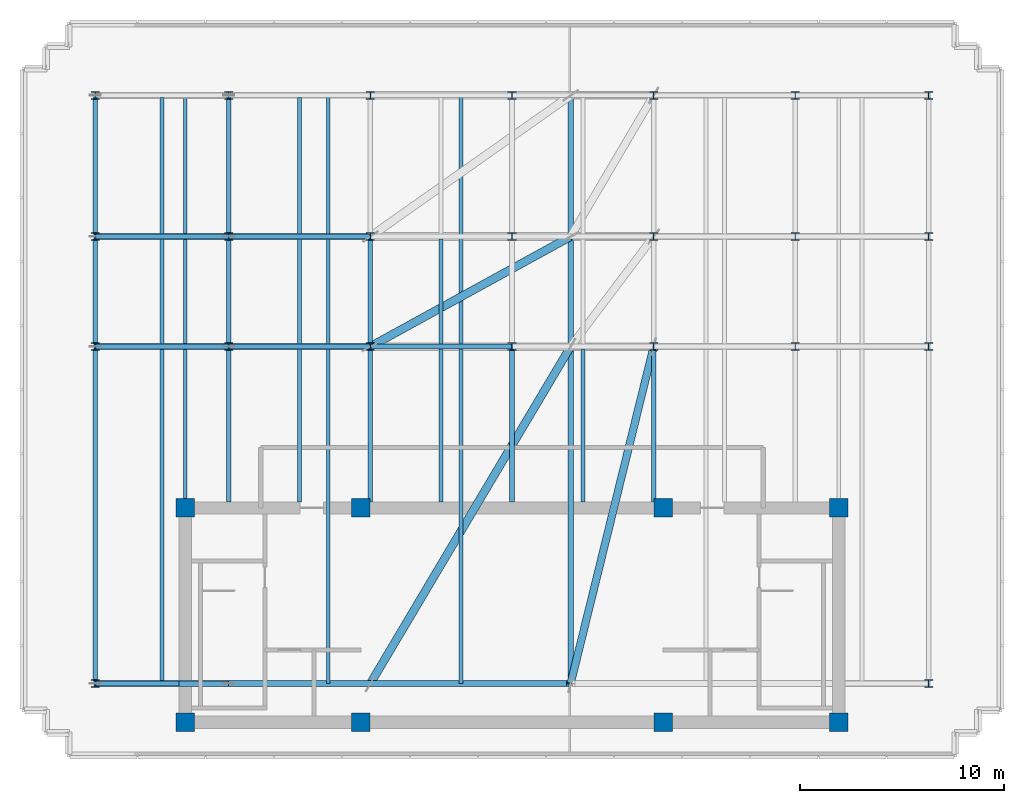
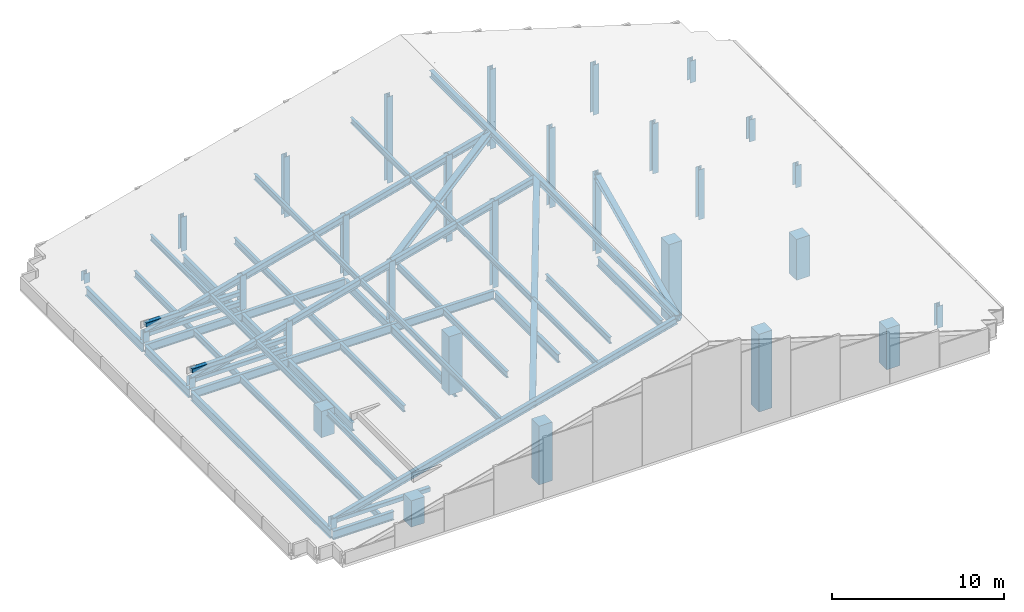
# One storey, part 1 of 6: 31 columns, 29 beams, 11 members.
"""IFC4 building model written with IfcOpenShell, lengths in metres."""

from ifc_helpers import new_model, si_unit, direction, frame, origin, origin_2d, place, context, subcontext, project, spatial, rectangle, hollow_rectangle, i_section, extrude, material, material_profile, profile_set, type_object, element, save


model = new_model("IFC4")

# Units and contexts
model_context = context("Model", 3, precision=1e-05, world=origin(), true_north=direction((0.0, 1.0)))
body_context = subcontext(model_context, "Body", "Model", "MODEL_VIEW")
ifc_project = project(units=[si_unit("LENGTHUNIT", "METRE"), si_unit("AREAUNIT", "SQUARE_METRE"), si_unit("VOLUMEUNIT", "CUBIC_METRE"), si_unit("PLANEANGLEUNIT", "RADIAN"), si_unit("MASSUNIT", "GRAM", prefix="KILO")], contexts=[model_context])

# Site, building, storey
site_placement = place(None, origin())
site = spatial("IfcSite", under=ifc_project, at=site_placement, CompositionType="ELEMENT")
building_placement = place(site_placement, origin())
building = spatial("IfcBuilding", under=site, at=building_placement, Name="Solmavex Isthmus Hotel", CompositionType="ELEMENT")
storey_placement = place(building_placement, frame((0.0, 0.0, 308.39990234375)))
storey = spatial("IfcBuildingStorey", under=building, at=storey_placement, Name="Roof", CompositionType="ELEMENT", Elevation=308.39990234375)

# Columns
ifc_material_1 = material(Name="Concrete C50/60", Category="concrete")
ifc_material_profile_1 = material_profile(ifc_material_1, rectangle(XDim=0.89990234375, YDim=0.89990234375, at=origin_2d()), Name="RC900X900")
ifc_profile_set_1 = profile_set([ifc_material_profile_1], Name="Concrete C50/60")
column_type_1 = type_object("IfcColumnType", Name="COL-CC-900", PredefinedType="COLUMN", material=ifc_profile_set_1)
column_1_placement = place(storey_placement, frame((-16.0, -13.0, 0.0), z_axis=(0.0, 0.0, 1.0), x_axis=(1.0, 0.0, 0.0)))
element("IfcColumn", 1, at=column_1_placement, inside=storey, type_object=column_type_1, Name="Core Pilaster CC-SW Roof", PredefinedType="COLUMN", context=body_context, shape_type="SweptSolid", body=[
    extrude(rectangle(XDim=0.89990234375, YDim=0.89990234375, at=origin_2d()), origin(), (0.0, 0.0, 1.0), 1.87451171875),
])
column_2_placement = place(storey_placement, frame((-7.39990234375, -13.0, 0.0), z_axis=(0.0, 0.0, 1.0), x_axis=(1.0, 0.0, 0.0)))
element("IfcColumn", 2, at=column_2_placement, inside=storey, type_object=column_type_1, Name="Core Pilaster CC-S1 Roof", PredefinedType="COLUMN", context=body_context, shape_type="SweptSolid", body=[
    extrude(rectangle(XDim=0.89990234375, YDim=0.89990234375, at=origin_2d()), origin(), (0.0, 0.0, 1.0), 4.178955078125),
])
column_3_placement = place(storey_placement, frame((7.39990234375, -13.0, 0.0), z_axis=(0.0, 0.0, 1.0), x_axis=(1.0, 0.0, 0.0)))
element("IfcColumn", 3, at=column_3_placement, inside=storey, type_object=column_type_1, Name="Core Pilaster CC-S2 Roof", PredefinedType="COLUMN", context=body_context, shape_type="SweptSolid", body=[
    extrude(rectangle(XDim=0.89990234375, YDim=0.89990234375, at=origin_2d()), origin(), (0.0, 0.0, 1.0), 5.54345703125),
])
column_4_placement = place(storey_placement, frame((16.0, -13.0, 0.0), z_axis=(0.0, 0.0, 1.0), x_axis=(1.0, 0.0, 0.0)))
element("IfcColumn", 4, at=column_4_placement, inside=storey, type_object=column_type_1, Name="Core Pilaster CC-SE Roof", PredefinedType="COLUMN", context=body_context, shape_type="SweptSolid", body=[
    extrude(rectangle(XDim=0.89990234375, YDim=0.89990234375, at=origin_2d()), origin(), (0.0, 0.0, 1.0), 2.914306640625),
])
column_5_placement = place(storey_placement, frame((-16.0, -2.5, 0.0), z_axis=(0.0, 0.0, 1.0), x_axis=(1.0, 0.0, 0.0)))
element("IfcColumn", 5, at=column_5_placement, inside=storey, type_object=column_type_1, Name="Core Pilaster CC-NW Roof", PredefinedType="COLUMN", context=body_context, shape_type="SweptSolid", body=[
    extrude(rectangle(XDim=0.89990234375, YDim=0.89990234375, at=origin_2d()), origin(), (0.0, 0.0, 1.0), 1.87451171875),
])
column_6_placement = place(storey_placement, frame((-7.39990234375, -2.5, 0.0), z_axis=(0.0, 0.0, 1.0), x_axis=(1.0, 0.0, 0.0)))
element("IfcColumn", 6, at=column_6_placement, inside=storey, type_object=column_type_1, Name="Core Pilaster CC-N1 Roof", PredefinedType="COLUMN", context=body_context, shape_type="SweptSolid", body=[
    extrude(rectangle(XDim=0.89990234375, YDim=0.89990234375, at=origin_2d()), origin(), (0.0, 0.0, 1.0), 4.178955078125),
])
column_7_placement = place(storey_placement, frame((7.39990234375, -2.5, 0.0), z_axis=(0.0, 0.0, 1.0), x_axis=(1.0, 0.0, 0.0)))
element("IfcColumn", 7, at=column_7_placement, inside=storey, type_object=column_type_1, Name="Core Pilaster CC-N2 Roof", PredefinedType="COLUMN", context=body_context, shape_type="SweptSolid", body=[
    extrude(rectangle(XDim=0.89990234375, YDim=0.89990234375, at=origin_2d()), origin(), (0.0, 0.0, 1.0), 5.54345703125),
])
column_8_placement = place(storey_placement, frame((16.0, -2.5, 0.0), z_axis=(0.0, 0.0, 1.0), x_axis=(1.0, 0.0, 0.0)))
element("IfcColumn", 8, at=column_8_placement, inside=storey, type_object=column_type_1, Name="Core Pilaster CC-NE Roof", PredefinedType="COLUMN", context=body_context, shape_type="SweptSolid", body=[
    extrude(rectangle(XDim=0.89990234375, YDim=0.89990234375, at=origin_2d()), origin(), (0.0, 0.0, 1.0), 2.914306640625),
])
ifc_material_2 = material(Name="Steel ASTM A913 Grade 65", Category="steel")
ifc_material_profile_2 = material_profile(ifc_material_2, i_section(OverallWidth=0.393798828125, OverallDepth=0.37548828125, WebThickness=0.017333984375, FlangeThickness=0.027587890625, FilletRadius=0.030517578125, at=origin_2d()), Name="W14X145")
ifc_profile_set_2 = profile_set([ifc_material_profile_2], Name="Steel ASTM A913 Grade 65")
column_type_2 = type_object("IfcColumnType", Name="COL-SC-W14X145", PredefinedType="COLUMN", material=ifc_profile_set_2)
for number, where, z_axis, x_axis, name in (
    (9, (-20.39990234375, -11.10009765625, 0.0), (0.0, 0.0, 1.0), (1.0, 0.0, 0.0), "Tower Column B5-U1V1 Roof"),
    (10, (-20.39990234375, 5.39990234375, 0.0), (0.0, 0.0, 1.0), (1.0, 0.0, 0.0), "Tower Column B5-U1V2 Roof"),
    (11, (-20.39990234375, 10.7880859375, 0.0), (0.0, 0.0, 1.0), (1.0, 0.0, 0.0), "Tower Column B5-U1V3 Roof"),
    (12, (-20.39990234375, 17.699951171875, 0.0), (0.0, 0.0, 1.0), (1.0, 0.0, 0.0), "Tower Column B5-U1V4 Roof"),
):
    element("IfcColumn", number, at=place(storey_placement, frame(where, z_axis=z_axis, x_axis=x_axis)), inside=storey, type_object=column_type_2, Name=name, PredefinedType="COLUMN", context=body_context, shape_type="SweptSolid", body=[
        extrude(i_section(OverallWidth=0.393798828125, OverallDepth=0.37548828125, WebThickness=0.017333984375, FlangeThickness=0.027587890625, FilletRadius=0.030517578125, at=origin_2d()), origin(), (0.0, 0.0, 1.0), 0.695556640625),
    ])
for number, where, z_axis, x_axis, name in (
    (13, (-13.8720703125, 5.39990234375, 0.0), (0.0, 0.0, 1.0), (1.0, 0.0, 0.0), "Tower Column B5-U2V2 Roof"),
    (14, (-13.8720703125, 10.7880859375, 0.0), (0.0, 0.0, 1.0), (1.0, 0.0, 0.0), "Tower Column B5-U2V3 Roof"),
    (15, (-13.8720703125, 17.699951171875, 0.0), (0.0, 0.0, 1.0), (1.0, 0.0, 0.0), "Tower Column B5-U2V4 Roof"),
):
    element("IfcColumn", number, at=place(storey_placement, frame(where, z_axis=z_axis, x_axis=x_axis)), inside=storey, type_object=column_type_2, Name=name, PredefinedType="COLUMN", context=body_context, shape_type="SweptSolid", body=[
        extrude(i_section(OverallWidth=0.393798828125, OverallDepth=0.37548828125, WebThickness=0.017333984375, FlangeThickness=0.027587890625, FilletRadius=0.030517578125, at=origin_2d()), origin(), (0.0, 0.0, 1.0), 2.444580078125),
    ])
for number, where, z_axis, x_axis, name in (
    (16, (-6.93603515625, 5.39990234375, 0.0), (0.0, 0.0, 1.0), (1.0, 0.0, 0.0), "Tower Column B5-U3V2 Roof"),
    (17, (-6.93603515625, 10.7880859375, 0.0), (0.0, 0.0, 1.0), (1.0, 0.0, 0.0), "Tower Column B5-U3V3 Roof"),
    (18, (-6.93603515625, 17.699951171875, 0.0), (0.0, 0.0, 1.0), (1.0, 0.0, 0.0), "Tower Column B5-U3V4 Roof"),
):
    element("IfcColumn", number, at=place(storey_placement, frame(where, z_axis=z_axis, x_axis=x_axis)), inside=storey, type_object=column_type_2, Name=name, PredefinedType="COLUMN", context=body_context, shape_type="SweptSolid", body=[
        extrude(i_section(OverallWidth=0.393798828125, OverallDepth=0.37548828125, WebThickness=0.017333984375, FlangeThickness=0.027587890625, FilletRadius=0.030517578125, at=origin_2d()), origin(), (0.0, 0.0, 1.0), 4.30322265625),
    ])
for number, where, z_axis, x_axis, name in (
    (19, (0.0, 5.39990234375, 0.0), (0.0, 0.0, 1.0), (1.0, 0.0, 0.0), "Tower Column B5-U4V2 Roof"),
    (20, (0.0, 10.7880859375, 0.0), (0.0, 0.0, 1.0), (1.0, 0.0, 0.0), "Tower Column B5-U4V3 Roof"),
    (21, (0.0, 17.699951171875, 0.0), (0.0, 0.0, 1.0), (1.0, 0.0, 0.0), "Tower Column B5-U4V4 Roof"),
):
    element("IfcColumn", number, at=place(storey_placement, frame(where, z_axis=z_axis, x_axis=x_axis)), inside=storey, type_object=column_type_2, Name=name, PredefinedType="COLUMN", context=body_context, shape_type="SweptSolid", body=[
        extrude(i_section(OverallWidth=0.393798828125, OverallDepth=0.37548828125, WebThickness=0.017333984375, FlangeThickness=0.027587890625, FilletRadius=0.030517578125, at=origin_2d()), origin(), (0.0, 0.0, 1.0), 6.16162109375),
    ])
for number, where, z_axis, x_axis, name in (
    (22, (6.93603515625, 5.39990234375, 0.0), (0.0, 0.0, 1.0), (1.0, 0.0, 0.0), "Tower Column B5-U5V2 Roof"),
    (23, (6.93603515625, 10.7880859375, 0.0), (0.0, 0.0, 1.0), (1.0, 0.0, 0.0), "Tower Column B5-U5V3 Roof"),
    (24, (6.93603515625, 17.699951171875, 0.0), (0.0, 0.0, 1.0), (1.0, 0.0, 0.0), "Tower Column B5-U5V4 Roof"),
):
    element("IfcColumn", number, at=place(storey_placement, frame(where, z_axis=z_axis, x_axis=x_axis)), inside=storey, type_object=column_type_2, Name=name, PredefinedType="COLUMN", context=body_context, shape_type="SweptSolid", body=[
        extrude(i_section(OverallWidth=0.393798828125, OverallDepth=0.37548828125, WebThickness=0.017333984375, FlangeThickness=0.027587890625, FilletRadius=0.030517578125, at=origin_2d()), origin(), (0.0, 0.0, 1.0), 5.685302734375),
    ])
for number, where, z_axis, x_axis, name in (
    (25, (13.8720703125, 5.39990234375, 0.0), (0.0, 0.0, 1.0), (1.0, 0.0, 0.0), "Tower Column B5-U6V2 Roof"),
    (26, (13.8720703125, 10.7880859375, 0.0), (0.0, 0.0, 1.0), (1.0, 0.0, 0.0), "Tower Column B5-U6V3 Roof"),
    (27, (13.8720703125, 17.699951171875, 0.0), (0.0, 0.0, 1.0), (1.0, 0.0, 0.0), "Tower Column B5-U6V4 Roof"),
):
    element("IfcColumn", number, at=place(storey_placement, frame(where, z_axis=z_axis, x_axis=x_axis)), inside=storey, type_object=column_type_2, Name=name, PredefinedType="COLUMN", context=body_context, shape_type="SweptSolid", body=[
        extrude(i_section(OverallWidth=0.393798828125, OverallDepth=0.37548828125, WebThickness=0.017333984375, FlangeThickness=0.027587890625, FilletRadius=0.030517578125, at=origin_2d()), origin(), (0.0, 0.0, 1.0), 3.564697265625),
    ])
for number, where, z_axis, x_axis, name in (
    (28, (20.39990234375, -11.10009765625, 0.0), (0.0, 0.0, 1.0), (1.0, 0.0, 0.0), "Tower Column B5-U7V1 Roof"),
    (29, (20.39990234375, 5.39990234375, 0.0), (0.0, 0.0, 1.0), (1.0, 0.0, 0.0), "Tower Column B5-U7V2 Roof"),
    (30, (20.39990234375, 10.7880859375, 0.0), (0.0, 0.0, 1.0), (1.0, 0.0, 0.0), "Tower Column B5-U7V3 Roof"),
    (31, (20.39990234375, 17.699951171875, 0.0), (0.0, 0.0, 1.0), (1.0, 0.0, 0.0), "Tower Column B5-U7V4 Roof"),
):
    element("IfcColumn", number, at=place(storey_placement, frame(where, z_axis=z_axis, x_axis=x_axis)), inside=storey, type_object=column_type_2, Name=name, PredefinedType="COLUMN", context=body_context, shape_type="SweptSolid", body=[
        extrude(i_section(OverallWidth=0.393798828125, OverallDepth=0.37548828125, WebThickness=0.017333984375, FlangeThickness=0.027587890625, FilletRadius=0.030517578125, at=origin_2d()), origin(), (0.0, 0.0, 1.0), 1.569091796875),
    ])

# Beams
ifc_material_3 = material(Name="Steel ASTM A992 Grade 50", Category="steel")
ifc_material_profile_3 = material_profile(ifc_material_3, i_section(OverallWidth=0.1904296875, OverallDepth=0.456787109375, WebThickness=0.009033203125, FlangeThickness=0.014404296875, FilletRadius=0.0126953125, at=origin_2d()), Name="W18X50")
ifc_profile_set_3 = profile_set([ifc_material_profile_3], Name="Steel ASTM A992 Grade 50")
beam_type_1 = type_object("IfcBeamType", Name="BM-BJ-W18X50", PredefinedType="JOIST", material=ifc_profile_set_3)
beam_1_placement = place(storey_placement, frame((-17.135986328125, -10.98486328125, -0.48828125), z_axis=(0.0, 1.0, 0.0), x_axis=(-1.0, 0.0, 0.0)))
element("IfcBeam", 32, at=beam_1_placement, inside=storey, type_object=beam_type_1, Name="Secondary Floor Joist Roof-J01", PredefinedType="JOIST", context=body_context, shape_type="SweptSolid", body=[
    extrude(i_section(OverallWidth=0.1904296875, OverallDepth=0.456787109375, WebThickness=0.009033203125, FlangeThickness=0.014404296875, FilletRadius=0.0126953125, at=origin_2d()), origin(), (0.0, 0.0, 1.0), 16.27099609375),
])
beam_2_placement = place(storey_placement, frame((-17.135986328125, 5.513916015625, -0.48828125), z_axis=(0.0, 1.0, 0.0), x_axis=(-1.0, 0.0, 0.0)))
element("IfcBeam", 33, at=beam_2_placement, inside=storey, type_object=beam_type_1, Name="Secondary Floor Joist Roof-J02", PredefinedType="JOIST", context=body_context, shape_type="SweptSolid", body=[
    extrude(i_section(OverallWidth=0.1904296875, OverallDepth=0.456787109375, WebThickness=0.009033203125, FlangeThickness=0.014404296875, FilletRadius=0.0126953125, at=origin_2d()), origin(), (0.0, 0.0, 1.0), 5.16015625),
])
beam_3_placement = place(storey_placement, frame((-17.135986328125, 10.90185546875, -0.48828125), z_axis=(0.0, 1.0, 0.0), x_axis=(-1.0, 0.0, 0.0)))
element("IfcBeam", 34, at=beam_3_placement, inside=storey, type_object=beam_type_1, Name="Secondary Floor Joist Roof-J03", PredefinedType="JOIST", context=body_context, shape_type="SweptSolid", body=[
    extrude(i_section(OverallWidth=0.1904296875, OverallDepth=0.456787109375, WebThickness=0.009033203125, FlangeThickness=0.014404296875, FilletRadius=0.0126953125, at=origin_2d()), origin(), (0.0, 0.0, 1.0), 6.682861328125),
])
beam_4_placement = place(storey_placement, frame((-10.404052734375, -2.199951171875, -0.48828125), z_axis=(0.0, 1.0, 0.0), x_axis=(-1.0, 0.0, 0.0)))
element("IfcBeam", 35, at=beam_4_placement, inside=storey, type_object=beam_type_1, Name="Secondary Floor Joist Roof-J04", PredefinedType="JOIST", context=body_context, shape_type="SweptSolid", body=[
    extrude(i_section(OverallWidth=0.1904296875, OverallDepth=0.456787109375, WebThickness=0.009033203125, FlangeThickness=0.014404296875, FilletRadius=0.0126953125, at=origin_2d()), origin(), (0.0, 0.0, 1.0), 7.486083984375),
])
beam_5_placement = place(storey_placement, frame((-10.404052734375, 5.513916015625, -0.48828125), z_axis=(0.0, 1.0, 0.0), x_axis=(-1.0, 0.0, 0.0)))
element("IfcBeam", 36, at=beam_5_placement, inside=storey, type_object=beam_type_1, Name="Secondary Floor Joist Roof-J05", PredefinedType="JOIST", context=body_context, shape_type="SweptSolid", body=[
    extrude(i_section(OverallWidth=0.1904296875, OverallDepth=0.456787109375, WebThickness=0.009033203125, FlangeThickness=0.014404296875, FilletRadius=0.0126953125, at=origin_2d()), origin(), (0.0, 0.0, 1.0), 5.16015625),
])
beam_6_placement = place(storey_placement, frame((-10.404052734375, 10.90185546875, -0.48828125), z_axis=(0.0, 1.0, 0.0), x_axis=(-1.0, 0.0, 0.0)))
element("IfcBeam", 37, at=beam_6_placement, inside=storey, type_object=beam_type_1, Name="Secondary Floor Joist Roof-J06", PredefinedType="JOIST", context=body_context, shape_type="SweptSolid", body=[
    extrude(i_section(OverallWidth=0.1904296875, OverallDepth=0.456787109375, WebThickness=0.009033203125, FlangeThickness=0.014404296875, FilletRadius=0.0126953125, at=origin_2d()), origin(), (0.0, 0.0, 1.0), 6.682861328125),
])
beam_7_placement = place(storey_placement, frame((-3.468017578125, -2.199951171875, -0.48828125), z_axis=(0.0, 1.0, 0.0), x_axis=(-1.0, 0.0, 0.0)))
element("IfcBeam", 38, at=beam_7_placement, inside=storey, type_object=beam_type_1, Name="Secondary Floor Joist Roof-J07", PredefinedType="JOIST", context=body_context, shape_type="SweptSolid", body=[
    extrude(i_section(OverallWidth=0.1904296875, OverallDepth=0.456787109375, WebThickness=0.009033203125, FlangeThickness=0.014404296875, FilletRadius=0.0126953125, at=origin_2d()), origin(), (0.0, 0.0, 1.0), 7.486083984375),
])
beam_8_placement = place(storey_placement, frame((-3.468017578125, 5.513916015625, -0.48828125), z_axis=(0.0, 1.0, 0.0), x_axis=(-1.0, 0.0, 0.0)))
element("IfcBeam", 39, at=beam_8_placement, inside=storey, type_object=beam_type_1, Name="Secondary Floor Joist Roof-J08", PredefinedType="JOIST", context=body_context, shape_type="SweptSolid", body=[
    extrude(i_section(OverallWidth=0.1904296875, OverallDepth=0.456787109375, WebThickness=0.009033203125, FlangeThickness=0.014404296875, FilletRadius=0.0126953125, at=origin_2d()), origin(), (0.0, 0.0, 1.0), 5.16015625),
])
beam_9_placement = place(storey_placement, frame((3.468017578125, -2.199951171875, -0.48828125), z_axis=(0.0, 1.0, 0.0), x_axis=(-1.0, 0.0, 0.0)))
element("IfcBeam", 40, at=beam_9_placement, inside=storey, type_object=beam_type_1, Name="Secondary Floor Joist Roof-J10", PredefinedType="JOIST", context=body_context, shape_type="SweptSolid", body=[
    extrude(i_section(OverallWidth=0.1904296875, OverallDepth=0.456787109375, WebThickness=0.009033203125, FlangeThickness=0.014404296875, FilletRadius=0.0126953125, at=origin_2d()), origin(), (0.0, 0.0, 1.0), 7.486083984375),
])
ifc_material_profile_4 = material_profile(ifc_material_3, i_section(OverallWidth=0.280517578125, OverallDepth=0.462890625, WebThickness=0.0107421875, FlangeThickness=0.017333984375, FilletRadius=0.0126953125, at=origin_2d()), Name="W18X76")
ifc_profile_set_4 = profile_set([ifc_material_profile_4], Name="Steel ASTM A992 Grade 50")
beam_type_2 = type_object("IfcBeamType", Name="BM-BM-W18X76", PredefinedType="BEAM", material=ifc_profile_set_4)
beam_10_placement = place(storey_placement, frame((2.870849609375, -11.10009765625, 6.699462890625), z_axis=(0.0, 1.0, 0.0), x_axis=(-1.0, 0.0, 0.0)))
element("IfcBeam", 41, at=beam_10_placement, inside=storey, type_object=beam_type_2, Name="Crown Ridge Girder BM-Roof-RIDGE", PredefinedType="BEAM", context=body_context, shape_type="SweptSolid", body=[
    extrude(i_section(OverallWidth=0.280517578125, OverallDepth=0.462890625, WebThickness=0.0107421875, FlangeThickness=0.017333984375, FilletRadius=0.0126953125, at=origin_2d()), origin(), (0.0, 0.0, 1.0), 28.800048828125),
])
for number, where, z_axis, x_axis, name in (
    (42, (-20.39990234375, -11.10009765625, 0.444091796875), (0.965925702275, 0.0, 0.258819507928), (0.0, 1.0, 0.0), "Crown West Sloped Rafter W1"),
    (43, (-20.39990234375, 5.39990234375, 0.444091796875), (0.965925702275, 0.0, 0.258819507928), (0.0, 1.0, 0.0), "Crown West Sloped Rafter W2"),
    (44, (-20.39990234375, 10.7880859375, 0.444091796875), (0.965925702275, 0.0, 0.258819507928), (0.0, 1.0, 0.0), "Crown West Sloped Rafter W3"),
):
    element("IfcBeam", number, at=place(storey_placement, frame(where, z_axis=z_axis, x_axis=x_axis)), inside=storey, type_object=beam_type_2, Name=name, PredefinedType="BEAM", context=body_context, shape_type="SweptSolid", body=[
        extrude(i_section(OverallWidth=0.280517578125, OverallDepth=0.462890625, WebThickness=0.0107421875, FlangeThickness=0.017333984375, FilletRadius=0.0126953125, at=origin_2d()), origin(), (0.0, 0.0, 1.0), 23.94140625),
    ])
ifc_material_profile_5 = material_profile(ifc_material_3, i_section(OverallWidth=0.227783203125, OverallDepth=0.602783203125, WebThickness=0.010498046875, FlangeThickness=0.014892578125, FilletRadius=0.01513671875, at=origin_2d()), Name="W24X68")
ifc_profile_set_5 = profile_set([ifc_material_profile_5], Name="Steel ASTM A992 Grade 50")
beam_type_3 = type_object("IfcBeamType", Name="BM-BM-W24X68", PredefinedType="BEAM", material=ifc_profile_set_5)
beam_11_placement = place(storey_placement, frame((-20.39990234375, 5.39990234375, -0.561279296875), z_axis=(1.0, 0.0, 0.0), x_axis=(0.0, 1.0, 0.0)))
element("IfcBeam", 45, at=beam_11_placement, inside=storey, type_object=beam_type_3, Name="Floor Girder Roof-UG03", PredefinedType="BEAM", context=body_context, shape_type="SweptSolid", body=[
    extrude(i_section(OverallWidth=0.227783203125, OverallDepth=0.602783203125, WebThickness=0.010498046875, FlangeThickness=0.014892578125, FilletRadius=0.01513671875, at=origin_2d()), origin(), (0.0, 0.0, 1.0), 6.52783203125),
])
for number, where, z_axis, x_axis, name in (
    (46, (-13.8720703125, 5.39990234375, -0.561279296875), (1.0, 0.0, 0.0), (0.0, 1.0, 0.0), "Floor Girder Roof-UG04"),
    (47, (-6.93603515625, 5.39990234375, -0.561279296875), (1.0, 0.0, 0.0), (0.0, 1.0, 0.0), "Floor Girder Roof-UG05"),
):
    element("IfcBeam", number, at=place(storey_placement, frame(where, z_axis=z_axis, x_axis=x_axis)), inside=storey, type_object=beam_type_3, Name=name, PredefinedType="BEAM", context=body_context, shape_type="SweptSolid", body=[
        extrude(i_section(OverallWidth=0.227783203125, OverallDepth=0.602783203125, WebThickness=0.010498046875, FlangeThickness=0.014892578125, FilletRadius=0.01513671875, at=origin_2d()), origin(), (0.0, 0.0, 1.0), 6.93603515625),
    ])
beam_12_placement = place(storey_placement, frame((-20.39990234375, 10.7880859375, -0.561279296875), z_axis=(1.0, 0.0, 0.0), x_axis=(0.0, 1.0, 0.0)))
element("IfcBeam", 48, at=beam_12_placement, inside=storey, type_object=beam_type_3, Name="Floor Girder Roof-UG09", PredefinedType="BEAM", context=body_context, shape_type="SweptSolid", body=[
    extrude(i_section(OverallWidth=0.227783203125, OverallDepth=0.602783203125, WebThickness=0.010498046875, FlangeThickness=0.014892578125, FilletRadius=0.01513671875, at=origin_2d()), origin(), (0.0, 0.0, 1.0), 6.52783203125),
])
beam_13_placement = place(storey_placement, frame((-13.8720703125, 10.7880859375, -0.561279296875), z_axis=(1.0, 0.0, 0.0), x_axis=(0.0, 1.0, 0.0)))
element("IfcBeam", 49, at=beam_13_placement, inside=storey, type_object=beam_type_3, Name="Floor Girder Roof-UG10", PredefinedType="BEAM", context=body_context, shape_type="SweptSolid", body=[
    extrude(i_section(OverallWidth=0.227783203125, OverallDepth=0.602783203125, WebThickness=0.010498046875, FlangeThickness=0.014892578125, FilletRadius=0.01513671875, at=origin_2d()), origin(), (0.0, 0.0, 1.0), 6.93603515625),
])
beam_14_placement = place(storey_placement, frame((-13.8720703125, -2.199951171875, -0.561279296875), z_axis=(0.0, 1.0, 0.0), x_axis=(-1.0, 0.0, 0.0)))
element("IfcBeam", 50, at=beam_14_placement, inside=storey, type_object=beam_type_3, Name="Floor Beam Roof-VG24", PredefinedType="BEAM", context=body_context, shape_type="SweptSolid", body=[
    extrude(i_section(OverallWidth=0.227783203125, OverallDepth=0.602783203125, WebThickness=0.010498046875, FlangeThickness=0.014892578125, FilletRadius=0.01513671875, at=origin_2d()), origin(), (0.0, 0.0, 1.0), 7.486083984375),
])
beam_15_placement = place(storey_placement, frame((-13.8720703125, 5.513916015625, -0.561279296875), z_axis=(0.0, 1.0, 0.0), x_axis=(-1.0, 0.0, 0.0)))
element("IfcBeam", 51, at=beam_15_placement, inside=storey, type_object=beam_type_3, Name="Floor Beam Roof-VG25", PredefinedType="BEAM", context=body_context, shape_type="SweptSolid", body=[
    extrude(i_section(OverallWidth=0.227783203125, OverallDepth=0.602783203125, WebThickness=0.010498046875, FlangeThickness=0.014892578125, FilletRadius=0.01513671875, at=origin_2d()), origin(), (0.0, 0.0, 1.0), 5.16015625),
])
beam_16_placement = place(storey_placement, frame((-13.8720703125, 10.90185546875, -0.561279296875), z_axis=(0.0, 1.0, 0.0), x_axis=(-1.0, 0.0, 0.0)))
element("IfcBeam", 52, at=beam_16_placement, inside=storey, type_object=beam_type_3, Name="Floor Beam Roof-VG26", PredefinedType="BEAM", context=body_context, shape_type="SweptSolid", body=[
    extrude(i_section(OverallWidth=0.227783203125, OverallDepth=0.602783203125, WebThickness=0.010498046875, FlangeThickness=0.014892578125, FilletRadius=0.01513671875, at=origin_2d()), origin(), (0.0, 0.0, 1.0), 6.682861328125),
])
beam_17_placement = place(storey_placement, frame((-6.93603515625, -2.199951171875, -0.561279296875), z_axis=(0.0, 1.0, 0.0), x_axis=(-1.0, 0.0, 0.0)))
element("IfcBeam", 53, at=beam_17_placement, inside=storey, type_object=beam_type_3, Name="Floor Beam Roof-VG27", PredefinedType="BEAM", context=body_context, shape_type="SweptSolid", body=[
    extrude(i_section(OverallWidth=0.227783203125, OverallDepth=0.602783203125, WebThickness=0.010498046875, FlangeThickness=0.014892578125, FilletRadius=0.01513671875, at=origin_2d()), origin(), (0.0, 0.0, 1.0), 7.486083984375),
])
beam_18_placement = place(storey_placement, frame((-6.93603515625, 5.513916015625, -0.561279296875), z_axis=(0.0, 1.0, 0.0), x_axis=(-1.0, 0.0, 0.0)))
element("IfcBeam", 54, at=beam_18_placement, inside=storey, type_object=beam_type_3, Name="Floor Beam Roof-VG28", PredefinedType="BEAM", context=body_context, shape_type="SweptSolid", body=[
    extrude(i_section(OverallWidth=0.227783203125, OverallDepth=0.602783203125, WebThickness=0.010498046875, FlangeThickness=0.014892578125, FilletRadius=0.01513671875, at=origin_2d()), origin(), (0.0, 0.0, 1.0), 5.16015625),
])
for number, where, z_axis, x_axis, name in (
    (55, (0.0, -2.199951171875, -0.561279296875), (0.0, 1.0, 0.0), (-1.0, 0.0, 0.0), "Floor Beam Roof-VG30"),
    (56, (6.93603515625, -2.199951171875, -0.561279296875), (0.0, 1.0, 0.0), (-1.0, 0.0, 0.0), "Floor Beam Roof-VG33"),
):
    element("IfcBeam", number, at=place(storey_placement, frame(where, z_axis=z_axis, x_axis=x_axis)), inside=storey, type_object=beam_type_3, Name=name, PredefinedType="BEAM", context=body_context, shape_type="SweptSolid", body=[
        extrude(i_section(OverallWidth=0.227783203125, OverallDepth=0.602783203125, WebThickness=0.010498046875, FlangeThickness=0.014892578125, FilletRadius=0.01513671875, at=origin_2d()), origin(), (0.0, 0.0, 1.0), 7.486083984375),
    ])
ifc_material_profile_6 = material_profile(ifc_material_3, i_section(OverallWidth=0.230224609375, OverallDepth=0.617431640625, WebThickness=0.01318359375, FlangeThickness=0.022216796875, FilletRadius=0.01513671875, at=origin_2d()), Name="W24X94")
ifc_profile_set_6 = profile_set([ifc_material_profile_6], Name="Steel ASTM A992 Grade 50")
beam_type_4 = type_object("IfcBeamType", Name="BM-SP-W24X94", PredefinedType="SPANDREL", material=ifc_profile_set_6)
beam_19_placement = place(storey_placement, frame((-20.39990234375, -11.10009765625, -0.568603515625), z_axis=(1.0, 0.0, 0.0), x_axis=(0.0, 1.0, 0.0)))
element("IfcBeam", 57, at=beam_19_placement, inside=storey, type_object=beam_type_4, Name="Floor Girder Roof-UG01", PredefinedType="SPANDREL", context=body_context, shape_type="SweptSolid", body=[
    extrude(i_section(OverallWidth=0.230224609375, OverallDepth=0.617431640625, WebThickness=0.01318359375, FlangeThickness=0.022216796875, FilletRadius=0.01513671875, at=origin_2d()), origin(), (0.0, 0.0, 1.0), 4.099853515625),
])
beam_20_placement = place(storey_placement, frame((-20.39990234375, -10.98486328125, -0.568603515625), z_axis=(0.0, 1.0, 0.0), x_axis=(-1.0, 0.0, 0.0)))
element("IfcBeam", 58, at=beam_20_placement, inside=storey, type_object=beam_type_4, Name="Floor Beam Roof-VG21", PredefinedType="SPANDREL", context=body_context, shape_type="SweptSolid", body=[
    extrude(i_section(OverallWidth=0.230224609375, OverallDepth=0.617431640625, WebThickness=0.01318359375, FlangeThickness=0.022216796875, FilletRadius=0.01513671875, at=origin_2d()), origin(), (0.0, 0.0, 1.0), 16.27099609375),
])
beam_21_placement = place(storey_placement, frame((-20.39990234375, 5.513916015625, -0.568603515625), z_axis=(0.0, 1.0, 0.0), x_axis=(-1.0, 0.0, 0.0)))
element("IfcBeam", 59, at=beam_21_placement, inside=storey, type_object=beam_type_4, Name="Floor Beam Roof-VG22", PredefinedType="SPANDREL", context=body_context, shape_type="SweptSolid", body=[
    extrude(i_section(OverallWidth=0.230224609375, OverallDepth=0.617431640625, WebThickness=0.01318359375, FlangeThickness=0.022216796875, FilletRadius=0.01513671875, at=origin_2d()), origin(), (0.0, 0.0, 1.0), 5.16015625),
])
beam_22_placement = place(storey_placement, frame((-20.39990234375, 10.90185546875, -0.568603515625), z_axis=(0.0, 1.0, 0.0), x_axis=(-1.0, 0.0, 0.0)))
element("IfcBeam", 60, at=beam_22_placement, inside=storey, type_object=beam_type_4, Name="Floor Beam Roof-VG23", PredefinedType="SPANDREL", context=body_context, shape_type="SweptSolid", body=[
    extrude(i_section(OverallWidth=0.230224609375, OverallDepth=0.617431640625, WebThickness=0.01318359375, FlangeThickness=0.022216796875, FilletRadius=0.01513671875, at=origin_2d()), origin(), (0.0, 0.0, 1.0), 6.682861328125),
])

# Members
ifc_material_profile_7 = material_profile(ifc_material_3, i_section(OverallWidth=0.177734375, OverallDepth=0.40673828125, WebThickness=0.0078125, FlangeThickness=0.0126953125, FilletRadius=0.0126953125, at=origin_2d()), Name="W16X40")
ifc_profile_set_7 = profile_set([ifc_material_profile_7], Name="Steel ASTM A992 Grade 50")
member_type_1 = type_object("IfcMemberType", Name="MEM-BP-W16X40", PredefinedType="PURLIN", material=ifc_profile_set_7)
for number, where, z_axis, x_axis, name in (
    (61, (-16.0, -11.10009765625, 1.64111328125), (0.0, 1.0, 0.0), (-1.0, 0.0, 0.0), "Crown Roof Purlin PUR-01"),
    (62, (-9.0, -11.10009765625, 3.516845703125), (0.0, 1.0, 0.0), (-1.0, 0.0, 0.0), "Crown Roof Purlin PUR-02"),
    (63, (-2.5, -11.10009765625, 5.258544921875), (0.0, 1.0, 0.0), (-1.0, 0.0, 0.0), "Crown Roof Purlin PUR-03"),
):
    element("IfcMember", number, at=place(storey_placement, frame(where, z_axis=z_axis, x_axis=x_axis)), inside=storey, type_object=member_type_1, Name=name, PredefinedType="PURLIN", context=body_context, shape_type="SweptSolid", body=[
        extrude(i_section(OverallWidth=0.177734375, OverallDepth=0.40673828125, WebThickness=0.0078125, FlangeThickness=0.0126953125, FilletRadius=0.0126953125, at=origin_2d()), origin(), (0.0, 0.0, 1.0), 28.800048828125),
    ])
ifc_material_4 = material(Name="Steel ASTM A500 Grade C", Category="steel")
ifc_material_profile_8 = material_profile(ifc_material_4, hollow_rectangle(XDim=0.300048828125, YDim=0.300048828125, WallThickness=0.012451171875, InnerFilletRadius=0.018798828125, OuterFilletRadius=0.03125, at=origin_2d()), Name="HSS300X300X12")
ifc_profile_set_8 = profile_set([ifc_material_profile_8], Name="Steel ASTM A500 Grade C")
member_type_2 = type_object("IfcMemberType", Name="MEM-HS-300X12", PredefinedType="STRUT", material=ifc_profile_set_8)
for number, where, z_axis, x_axis, name in (
    (64, (-20.39990234375, -11.10009765625, 0.4501953125), (1.0, 0.0, 0.0), (0.0, 1.0, 0.0), "Crown Screen Frame Hollow Strut HS-01"),
    (65, (-20.39990234375, 5.39990234375, 0.4501953125), (1.0, 0.0, 0.0), (0.0, 1.0, 0.0), "Crown Screen Frame Hollow Strut HS-02"),
    (66, (-20.39990234375, 5.39990234375, 1.150146484375), (1.0, 0.0, 0.0), (0.0, 1.0, 0.0), "Crown Screen Frame Hollow Strut HS-03"),
    (67, (-20.39990234375, 10.7880859375, 0.4501953125), (1.0, 0.0, 0.0), (0.0, 1.0, 0.0), "Crown Screen Frame Hollow Strut HS-04"),
    (68, (-20.39990234375, 10.7880859375, 1.150146484375), (1.0, 0.0, 0.0), (0.0, 1.0, 0.0), "Crown Screen Frame Hollow Strut HS-05"),
):
    element("IfcMember", number, at=place(storey_placement, frame(where, z_axis=z_axis, x_axis=x_axis)), inside=storey, type_object=member_type_2, Name=name, PredefinedType="STRUT", context=body_context, shape_type="SweptSolid", body=[
        extrude(hollow_rectangle(XDim=0.300048828125, YDim=0.300048828125, WallThickness=0.012451171875, InnerFilletRadius=0.018798828125, OuterFilletRadius=0.03125, at=origin_2d()), origin(), (0.0, 0.0, 1.0), 6.52783203125),
    ])
ifc_material_profile_9 = material_profile(ifc_material_2, i_section(OverallWidth=0.3974609375, OverallDepth=0.38671875, WebThickness=0.02099609375, FlangeThickness=0.033203125, FilletRadius=0.030517578125, at=origin_2d()), Name="W14X176")
ifc_profile_set_9 = profile_set([ifc_material_profile_9], Name="Steel ASTM A913 Grade 65")
member_type_3 = type_object("IfcMemberType", Name="MEM-TM-W14X176", PredefinedType="BRACE", material=ifc_profile_set_9)
member_1_placement = place(storey_placement, frame((-6.93603515625, -11.10009765625, 4.0517578125), z_axis=(0.506131657159, 0.851562197651, 0.136647609398), x_axis=(-0.859625727149, 0.510924269558, 0.0)))
element("IfcMember", 69, at=member_1_placement, inside=storey, type_object=member_type_3, Name="Crown Wind Brace WB-01", PredefinedType="BRACE", context=body_context, shape_type="SweptSolid", body=[
    extrude(i_section(OverallWidth=0.3974609375, OverallDepth=0.38671875, WebThickness=0.02099609375, FlangeThickness=0.033203125, FilletRadius=0.030517578125, at=origin_2d()), origin(), (0.0, 0.0, 1.0), 19.376220703125),
])
member_2_placement = place(storey_placement, frame((-6.93603515625, 5.39990234375, 4.0517578125), z_axis=(0.852876250754, 0.468594658919, 0.230263211417), x_axis=(-0.48153426228, 0.876427266948, 0.0)))
element("IfcMember", 70, at=member_2_placement, inside=storey, type_object=member_type_3, Name="Crown Wind Brace WB-02", PredefinedType="BRACE", context=body_context, shape_type="SweptSolid", body=[
    extrude(i_section(OverallWidth=0.3974609375, OverallDepth=0.38671875, WebThickness=0.02099609375, FlangeThickness=0.033203125, FilletRadius=0.030517578125, at=origin_2d()), origin(), (0.0, 0.0, 1.0), 11.49853515625),
])
ifc_material_profile_10 = material_profile(ifc_material_2, i_section(OverallWidth=0.368896484375, OverallDepth=0.356201171875, WebThickness=0.01123046875, FlangeThickness=0.01806640625, FilletRadius=0.030517578125, at=origin_2d()), Name="W14X90")
ifc_profile_set_10 = profile_set([ifc_material_profile_10], Name="Steel ASTM A913 Grade 65")
member_type_4 = type_object("IfcMemberType", Name="MEM-TS-W14X90", PredefinedType="STRUT", material=ifc_profile_set_10)
member_3_placement = place(storey_placement, frame((2.870849609375, -11.10009765625, 6.699462890625), z_axis=(0.238560678808, 0.968283281279, -0.074271728962), x_axis=(-0.970965046997, 0.23922139852, 0.0)))
element("IfcMember", 71, at=member_3_placement, inside=storey, type_object=member_type_4, Name="Crown Roof Strut ST-01", PredefinedType="STRUT", context=body_context, shape_type="SweptSolid", body=[
    extrude(i_section(OverallWidth=0.368896484375, OverallDepth=0.356201171875, WebThickness=0.01123046875, FlangeThickness=0.01806640625, FilletRadius=0.030517578125, at=origin_2d()), origin(), (0.0, 0.0, 1.0), 17.04052734375),
])

save(model, "model.ifc")
